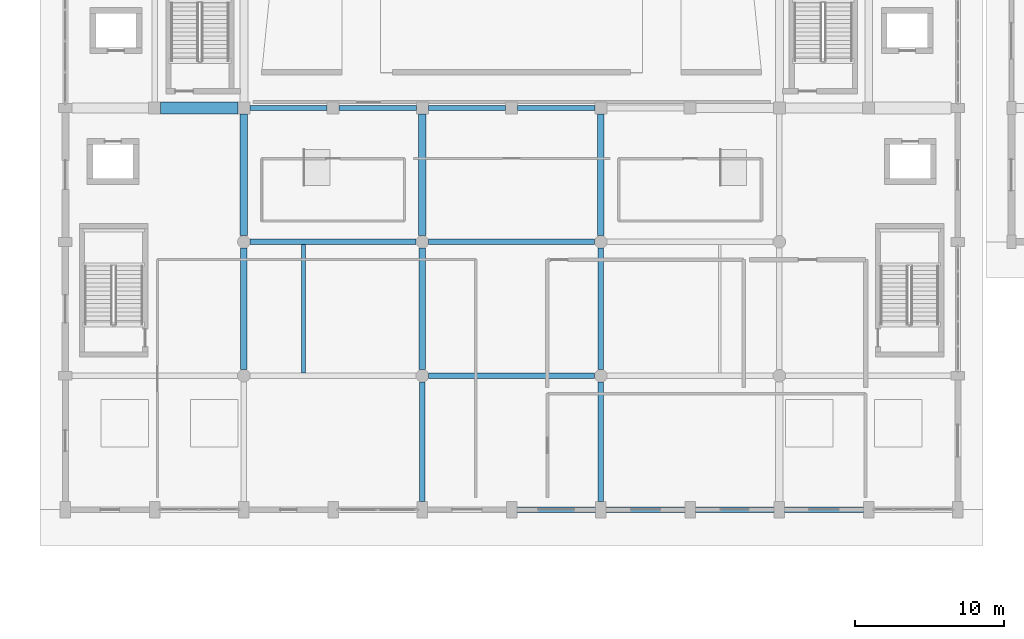
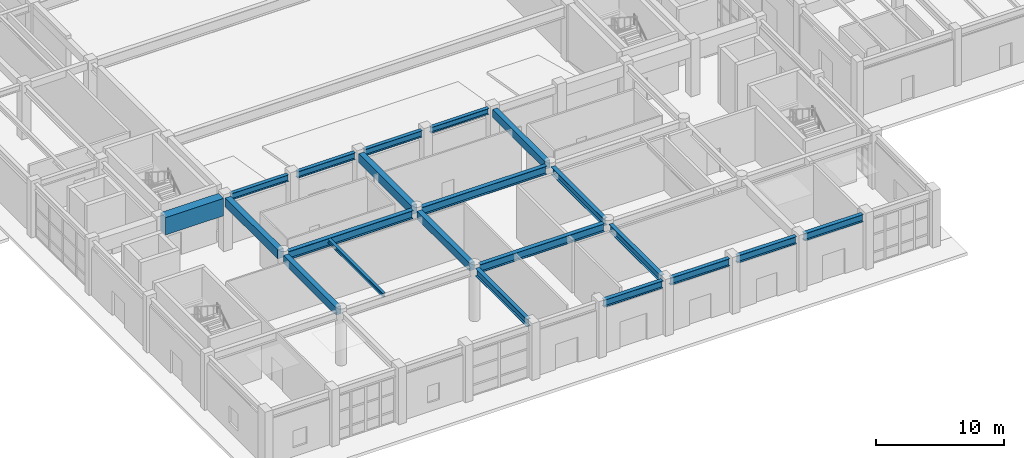
# One storey, part 17 of 91: 21 beams.
"""IFC4 building model written with IfcOpenShell, lengths in metres."""

from ifc_helpers import new_model, si_unit, direction, frame, origin, origin_2d, place, context, subcontext, project, spatial, rectangle, i_section, extrude, material, material_profile, profile_set, type_object, element, save


model = new_model("IFC4")

# Units and contexts
model_context = context("Model", 3, precision=1e-05, world=origin(), true_north=direction((0.0, 1.0)))
body_context = subcontext(model_context, "Body", "Model", "MODEL_VIEW")
ifc_project = project(units=[si_unit("LENGTHUNIT", "METRE"), si_unit("AREAUNIT", "SQUARE_METRE"), si_unit("VOLUMEUNIT", "CUBIC_METRE"), si_unit("PLANEANGLEUNIT", "RADIAN"), si_unit("MASSUNIT", "GRAM", prefix="KILO")], contexts=[model_context])

# Site, building, storey
site_placement = place(None, origin())
site = spatial("IfcSite", under=ifc_project, at=site_placement, CompositionType="ELEMENT")
building_placement = place(site_placement, origin())
building = spatial("IfcBuilding", under=site, at=building_placement, Name="Vaelkrest Opera House", CompositionType="ELEMENT")
storey_placement = place(building_placement, origin())
storey = spatial("IfcBuildingStorey", under=building, at=storey_placement, Name="L00", CompositionType="ELEMENT", Elevation=0.0)

# Beams
ifc_material_1 = material(Name="Concrete C50/60", Category="concrete")
ifc_material_profile_1 = material_profile(ifc_material_1, rectangle(XDim=0.449951171875, YDim=0.75, at=origin_2d()), Name="RCB450X750")
ifc_profile_set_1 = profile_set([ifc_material_profile_1], Name="Concrete C50/60")
beam_type_1 = type_object("IfcBeamType", Name="B02", PredefinedType="BEAM", material=ifc_profile_set_1)
for number, where, z_axis, x_axis, name in (
    (1, (-18.0, -46.375, 4.705078125), (0.0, 1.0, 0.0), (-1.0, 0.0, 0.0), "Beam BM-V1-L00-0155"),
    (2, (-6.0, -46.375, 4.705078125), (0.0, 1.0, 0.0), (-1.0, 0.0, 0.0), "Beam BM-V1-L00-0163"),
):
    element("IfcBeam", number, at=place(storey_placement, frame(where, z_axis=z_axis, x_axis=x_axis)), inside=storey, type_object=beam_type_1, Name=name, PredefinedType="BEAM", context=body_context, shape_type="SweptSolid", body=[
        extrude(rectangle(XDim=0.449951171875, YDim=0.75, at=origin_2d()), origin(), (0.0, 0.0, 1.0), 8.14990234375),
    ])
beam_1_placement = place(storey_placement, frame((6.0, -37.375, 4.705078125), z_axis=(0.0, 1.0, 0.0), x_axis=(-1.0, 0.0, 0.0)))
element("IfcBeam", 3, at=beam_1_placement, inside=storey, type_object=beam_type_1, Name="Beam BM-V1-L00-0167", PredefinedType="BEAM", context=body_context, shape_type="SweptSolid", body=[
    extrude(rectangle(XDim=0.449951171875, YDim=0.75, at=origin_2d()), origin(), (0.0, 0.0, 1.0), 8.175048828125),
])
ifc_material_profile_2 = material_profile(ifc_material_1, rectangle(XDim=0.5, YDim=0.85009765625, at=origin_2d()), Name="RCB500X850")
ifc_profile_set_2 = profile_set([ifc_material_profile_2], Name="Concrete C50/60")
beam_type_2 = type_object("IfcBeamType", Name="B03", PredefinedType="BEAM", material=ifc_profile_set_2)
for number, where, z_axis, x_axis, name in (
    (4, (-18.0, -37.375, 4.655029296875), (0.0, 1.0, 0.0), (-1.0, 0.0, 0.0), "Beam BM-V1-L00-0156"),
    (5, (-6.0, -37.375, 4.655029296875), (0.0, 1.0, 0.0), (-1.0, 0.0, 0.0), "Beam BM-V1-L00-0164"),
):
    element("IfcBeam", number, at=place(storey_placement, frame(where, z_axis=z_axis, x_axis=x_axis)), inside=storey, type_object=beam_type_2, Name=name, PredefinedType="BEAM", context=body_context, shape_type="SweptSolid", body=[
        extrude(rectangle(XDim=0.5, YDim=0.85009765625, at=origin_2d()), origin(), (0.0, 0.0, 1.0), 8.175048828125),
    ])
ifc_material_profile_3 = material_profile(ifc_material_1, rectangle(XDim=0.800048828125, YDim=1.64990234375, at=origin_2d()), Name="RCB800X1650")
ifc_profile_set_3 = profile_set([ifc_material_profile_3], Name="Concrete C50/60")
beam_type_3 = type_object("IfcBeamType", Name="B07", PredefinedType="BEAM", material=ifc_profile_set_3)
beam_2_placement = place(storey_placement, frame((-23.60009765625, -28.800048828125, 4.2548828125), z_axis=(1.0, 0.0, 0.0), x_axis=(0.0, 1.0, 0.0)))
element("IfcBeam", 6, at=beam_2_placement, inside=storey, type_object=beam_type_3, Name="Beam BM-V1-L00-0104", PredefinedType="BEAM", context=body_context, shape_type="SweptSolid", body=[
    extrude(rectangle(XDim=0.800048828125, YDim=1.64990234375, at=origin_2d()), origin(), (0.0, 0.0, 1.0), 5.2001953125),
])
ifc_material_2 = material(Name="Steel A992 Gr50", Category="steel")
ifc_material_profile_4 = material_profile(ifc_material_2, i_section(OverallWidth=0.323974609375, OverallDepth=0.611083984375, WebThickness=0.0126953125, FlangeThickness=0.01904296875, at=origin_2d()), Name="W24X104")
ifc_profile_set_4 = profile_set([ifc_material_profile_4], Name="Steel A992 Gr50")
beam_type_4 = type_object("IfcBeamType", Name="B08", PredefinedType="BEAM", material=ifc_profile_set_4)
beam_3_placement = place(storey_placement, frame((-17.60009765625, -28.800048828125, 4.7744140625), z_axis=(1.0, 0.0, 0.0), x_axis=(0.0, 1.0, 0.0)))
element("IfcBeam", 7, at=beam_3_placement, inside=storey, type_object=beam_type_4, Name="Beam BM-V1-L00-0105", PredefinedType="BEAM", context=body_context, shape_type="SweptSolid", body=[
    extrude(i_section(OverallWidth=0.323974609375, OverallDepth=0.611083984375, WebThickness=0.0126953125, FlangeThickness=0.01904296875, at=origin_2d()), origin(), (0.0, 0.0, 1.0), 5.2001953125),
])
ifc_material_profile_5 = material_profile(ifc_material_2, i_section(OverallWidth=0.327880859375, OverallDepth=0.6279296875, WebThickness=0.0166015625, FlangeThickness=0.027587890625, at=origin_2d()), Name="W24X146")
ifc_profile_set_5 = profile_set([ifc_material_profile_5], Name="Steel A992 Gr50")
beam_type_5 = type_object("IfcBeamType", Name="B09", PredefinedType="BEAM", material=ifc_profile_set_5)
beam_4_placement = place(storey_placement, frame((-11.60009765625, -28.800048828125, 4.76611328125), z_axis=(1.0, 0.0, 0.0), x_axis=(0.0, 1.0, 0.0)))
element("IfcBeam", 8, at=beam_4_placement, inside=storey, type_object=beam_type_5, Name="Beam BM-V1-L00-0106", PredefinedType="BEAM", context=body_context, shape_type="SweptSolid", body=[
    extrude(i_section(OverallWidth=0.327880859375, OverallDepth=0.6279296875, WebThickness=0.0166015625, FlangeThickness=0.027587890625, at=origin_2d()), origin(), (0.0, 0.0, 1.0), 5.2001953125),
])
ifc_material_profile_6 = material_profile(ifc_material_2, i_section(OverallWidth=0.35498046875, OverallDepth=0.695068359375, WebThickness=0.015380859375, FlangeThickness=0.02490234375, at=origin_2d()), Name="W27X146")
ifc_profile_set_6 = profile_set([ifc_material_profile_6], Name="Steel A992 Gr50")
beam_type_6 = type_object("IfcBeamType", Name="B10", PredefinedType="BEAM", material=ifc_profile_set_6)
beam_5_placement = place(storey_placement, frame((6.0, -55.25, 4.732421875), z_axis=(0.0, 1.0, 0.0), x_axis=(-1.0, 0.0, 0.0)))
element("IfcBeam", 9, at=beam_5_placement, inside=storey, type_object=beam_type_6, Name="Beam BM-V1-L00-0165", PredefinedType="BEAM", context=body_context, shape_type="SweptSolid", body=[
    extrude(i_section(OverallWidth=0.35498046875, OverallDepth=0.695068359375, WebThickness=0.015380859375, FlangeThickness=0.02490234375, at=origin_2d()), origin(), (0.0, 0.0, 1.0), 8.02490234375),
])
ifc_material_profile_7 = material_profile(ifc_material_2, i_section(OverallWidth=0.381103515625, OverallDepth=0.77294921875, WebThickness=0.0166015625, FlangeThickness=0.027099609375, at=origin_2d()), Name="W30X173")
ifc_profile_set_7 = profile_set([ifc_material_profile_7], Name="Steel A992 Gr50")
beam_type_7 = type_object("IfcBeamType", Name="B11", PredefinedType="BEAM", material=ifc_profile_set_7)
for number, where, z_axis, x_axis, name in (
    (10, (-5.574951171875, -46.800048828125, 4.693603515625), (1.0, 0.0, 0.0), (0.0, 1.0, 0.0), "Beam BM-V1-L00-0097"),
    (11, (-5.574951171875, -37.800048828125, 4.693603515625), (1.0, 0.0, 0.0), (0.0, 1.0, 0.0), "Beam BM-V1-L00-0101"),
):
    element("IfcBeam", number, at=place(storey_placement, frame(where, z_axis=z_axis, x_axis=x_axis)), inside=storey, type_object=beam_type_7, Name=name, PredefinedType="BEAM", context=body_context, shape_type="SweptSolid", body=[
        extrude(i_section(OverallWidth=0.381103515625, OverallDepth=0.77294921875, WebThickness=0.0166015625, FlangeThickness=0.027099609375, at=origin_2d()), origin(), (0.0, 0.0, 1.0), 11.14990234375),
    ])
ifc_material_profile_8 = material_profile(ifc_material_2, i_section(OverallWidth=0.35791015625, OverallDepth=0.7060546875, WebThickness=0.018310546875, FlangeThickness=0.0302734375, at=origin_2d()), Name="W27X178")
ifc_profile_set_8 = profile_set([ifc_material_profile_8], Name="Steel A992 Gr50")
beam_type_8 = type_object("IfcBeamType", Name="B14", PredefinedType="BEAM", material=ifc_profile_set_8)
beam_6_placement = place(storey_placement, frame((-6.0, -55.25, 4.72705078125), z_axis=(0.0, 1.0, 0.0), x_axis=(-1.0, 0.0, 0.0)))
element("IfcBeam", 12, at=beam_6_placement, inside=storey, type_object=beam_type_8, Name="Beam BM-V1-L00-0162", PredefinedType="BEAM", context=body_context, shape_type="SweptSolid", body=[
    extrude(i_section(OverallWidth=0.35791015625, OverallDepth=0.7060546875, WebThickness=0.018310546875, FlangeThickness=0.0302734375, at=origin_2d()), origin(), (0.0, 0.0, 1.0), 8.02490234375),
])
beam_7_placement = place(storey_placement, frame((6.0, -46.375, 4.72705078125), z_axis=(0.0, 1.0, 0.0), x_axis=(-1.0, 0.0, 0.0)))
element("IfcBeam", 13, at=beam_7_placement, inside=storey, type_object=beam_type_8, Name="Beam BM-V1-L00-0166", PredefinedType="BEAM", context=body_context, shape_type="SweptSolid", body=[
    extrude(i_section(OverallWidth=0.35791015625, OverallDepth=0.7060546875, WebThickness=0.018310546875, FlangeThickness=0.0302734375, at=origin_2d()), origin(), (0.0, 0.0, 1.0), 8.14990234375),
])
ifc_material_profile_9 = material_profile(ifc_material_2, i_section(OverallWidth=0.384033203125, OverallDepth=0.785888671875, WebThickness=0.019775390625, FlangeThickness=0.033447265625, at=origin_2d()), Name="W30X211")
ifc_profile_set_9 = profile_set([ifc_material_profile_9], Name="Steel A992 Gr50")
beam_type_9 = type_object("IfcBeamType", Name="B16", PredefinedType="BEAM", material=ifc_profile_set_9)
beam_8_placement = place(storey_placement, frame((-17.574951171875, -37.800048828125, 4.68701171875), z_axis=(1.0, 0.0, 0.0), x_axis=(0.0, 1.0, 0.0)))
element("IfcBeam", 14, at=beam_8_placement, inside=storey, type_object=beam_type_9, Name="Beam BM-V1-L00-0100", PredefinedType="BEAM", context=body_context, shape_type="SweptSolid", body=[
    extrude(i_section(OverallWidth=0.384033203125, OverallDepth=0.785888671875, WebThickness=0.019775390625, FlangeThickness=0.033447265625, at=origin_2d()), origin(), (0.0, 0.0, 1.0), 11.14990234375),
])
ifc_material_profile_10 = material_profile(ifc_material_2, i_section(OverallWidth=0.326904296875, OverallDepth=0.6220703125, WebThickness=0.015380859375, FlangeThickness=0.0244140625, at=origin_2d()), Name="W24X131")
ifc_profile_set_10 = profile_set([ifc_material_profile_10], Name="Steel A992 Gr50")
beam_type_10 = type_object("IfcBeamType", Name="B19", PredefinedType="BEAM", material=ifc_profile_set_10)
beam_9_placement = place(storey_placement, frame((-5.60009765625, -28.800048828125, 4.76904296875), z_axis=(1.0, 0.0, 0.0), x_axis=(0.0, 1.0, 0.0)))
element("IfcBeam", 15, at=beam_9_placement, inside=storey, type_object=beam_type_10, Name="Beam BM-V1-L00-0107", PredefinedType="BEAM", context=body_context, shape_type="SweptSolid", body=[
    extrude(i_section(OverallWidth=0.326904296875, OverallDepth=0.6220703125, WebThickness=0.015380859375, FlangeThickness=0.0244140625, at=origin_2d()), origin(), (0.0, 0.0, 1.0), 5.2001953125),
])
ifc_material_profile_11 = material_profile(ifc_material_2, i_section(OverallWidth=0.31494140625, OverallDepth=0.551025390625, WebThickness=0.01513671875, FlangeThickness=0.0244140625, at=origin_2d()), Name="W21X122")
ifc_profile_set_11 = profile_set([ifc_material_profile_11], Name="Steel A992 Gr50")
beam_type_11 = type_object("IfcBeamType", Name="B20", PredefinedType="BEAM", material=ifc_profile_set_11)
beam_10_placement = place(storey_placement, frame((0.39990234375, -28.800048828125, 4.804443359375), z_axis=(1.0, 0.0, 0.0), x_axis=(0.0, 1.0, 0.0)))
element("IfcBeam", 16, at=beam_10_placement, inside=storey, type_object=beam_type_11, Name="Beam BM-V1-L00-0108", PredefinedType="BEAM", context=body_context, shape_type="SweptSolid", body=[
    extrude(i_section(OverallWidth=0.31494140625, OverallDepth=0.551025390625, WebThickness=0.01513671875, FlangeThickness=0.0244140625, at=origin_2d()), origin(), (0.0, 0.0, 1.0), 5.2001953125),
])
ifc_material_profile_12 = material_profile(ifc_material_2, i_section(OverallWidth=0.257080078125, OverallDepth=0.363037109375, WebThickness=0.012939453125, FlangeThickness=0.021728515625, at=origin_2d()), Name="W14X82")
ifc_profile_set_12 = profile_set([ifc_material_profile_12], Name="Steel A992 Gr50")
beam_type_12 = type_object("IfcBeamType", Name="J06", PredefinedType="JOIST", material=ifc_profile_set_12)
beam_11_placement = place(storey_placement, frame((-14.0, -46.60791015625, 4.8984375), z_axis=(0.0, 1.0, 0.0), x_axis=(-1.0, 0.0, 0.0)))
element("IfcBeam", 17, at=beam_11_placement, inside=storey, type_object=beam_type_12, Name="Floor joist JST-V1-L00-0196", PredefinedType="JOIST", context=body_context, shape_type="SweptSolid", body=[
    extrude(i_section(OverallWidth=0.257080078125, OverallDepth=0.363037109375, WebThickness=0.012939453125, FlangeThickness=0.021728515625, at=origin_2d()), origin(), (0.0, 0.0, 1.0), 8.615966796875),
])
ifc_material_profile_13 = material_profile(ifc_material_2, i_section(OverallWidth=0.35498046875, OverallDepth=0.695068359375, WebThickness=0.015380859375, FlangeThickness=0.02490234375, at=origin_2d()), Name="W27X146")
ifc_profile_set_13 = profile_set([ifc_material_profile_13], Name="Steel A992 Gr50")
beam_type_13 = type_object("IfcBeamType", Name="SP02", PredefinedType="SPANDREL", material=ifc_profile_set_13)
for number, where, z_axis, x_axis, name in (
    (18, (0.35009765625, -55.800048828125, 4.732421875), (1.0, 0.0, 0.0), (0.0, 1.0, 0.0), "Beam BM-V1-L00-0090"),
    (19, (6.35009765625, -55.800048828125, 4.732421875), (1.0, 0.0, 0.0), (0.0, 1.0, 0.0), "Beam BM-V1-L00-0091"),
    (20, (12.35009765625, -55.800048828125, 4.732421875), (1.0, 0.0, 0.0), (0.0, 1.0, 0.0), "Beam BM-V1-L00-0092"),
    (21, (18.35009765625, -55.800048828125, 4.732421875), (1.0, 0.0, 0.0), (0.0, 1.0, 0.0), "Beam BM-V1-L00-0093"),
):
    element("IfcBeam", number, at=place(storey_placement, frame(where, z_axis=z_axis, x_axis=x_axis)), inside=storey, type_object=beam_type_13, Name=name, PredefinedType="SPANDREL", context=body_context, shape_type="SweptSolid", body=[
        extrude(i_section(OverallWidth=0.35498046875, OverallDepth=0.695068359375, WebThickness=0.015380859375, FlangeThickness=0.02490234375, at=origin_2d()), origin(), (0.0, 0.0, 1.0), 5.2998046875),
    ])

save(model, "model.ifc")
